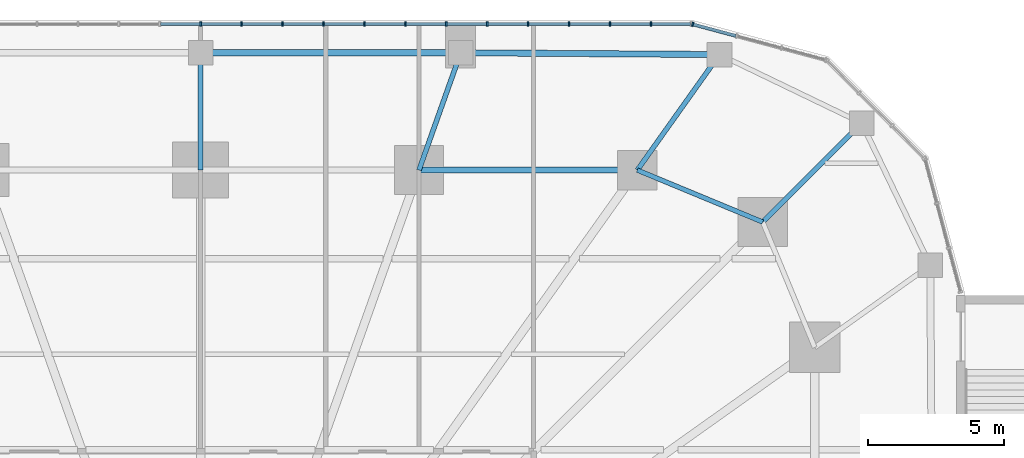
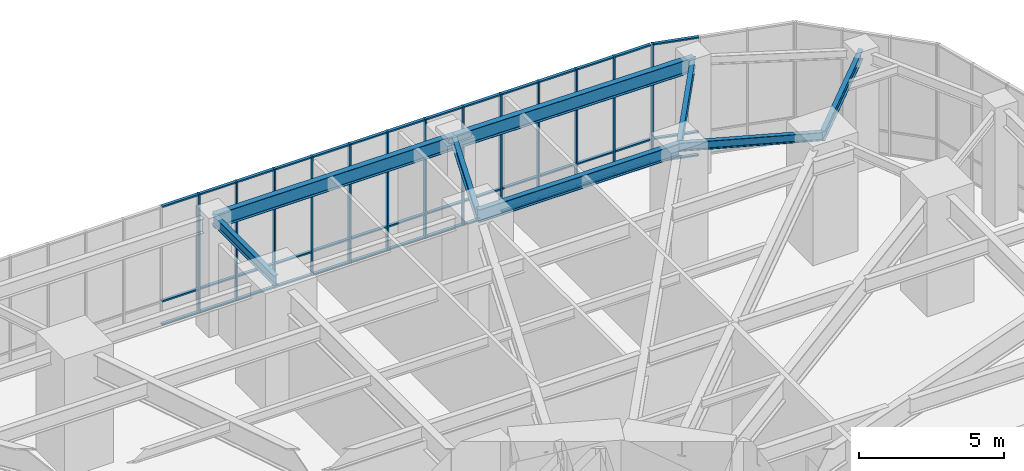
# One storey, part 14 of 24: 55 members, 8 beams, 2 elements without a shape of their own.
"""IFC4 building model written with IfcOpenShell, lengths in metres."""

from ifc_helpers import new_model, si_unit, direction, frame, origin, origin_2d, place, context, subcontext, project, spatial, rectangle, i_section, extrude, material, material_profile, profile_set, type_object, element, aggregate, save


model = new_model("IFC4")

# Units and contexts
model_context = context("Model", 3, precision=1e-05, world=origin(), true_north=direction((0.0, 1.0)))
body_context = subcontext(model_context, "Body", "Model", "MODEL_VIEW")
ifc_project = project(units=[si_unit("LENGTHUNIT", "METRE"), si_unit("AREAUNIT", "SQUARE_METRE"), si_unit("VOLUMEUNIT", "CUBIC_METRE"), si_unit("PLANEANGLEUNIT", "RADIAN"), si_unit("MASSUNIT", "GRAM", prefix="KILO")], contexts=[model_context])

# Site, building, storey
site_placement = place(None, origin())
site = spatial("IfcSite", under=ifc_project, at=site_placement, CompositionType="ELEMENT")
building_placement = place(site_placement, origin())
building = spatial("IfcBuilding", under=site, at=building_placement, Name="Nakasero Lantern House", CompositionType="ELEMENT")
storey_placement = place(building_placement, frame((0.0, 0.0, 6.0)))
storey = spatial("IfcBuildingStorey", under=building, at=storey_placement, Name="L01", CompositionType="ELEMENT", Elevation=6.0)

# Curtain wall, member
ifc_material_1 = material(Name="Aluminium 6063-T6 and glass", Category="aluminium")
curtain_wall_type = type_object("IfcCurtainWallType", Name="Podium curtain wall CW-2", PredefinedType="USERDEFINED", material=ifc_material_1)
curtain_wall_1_placement = place(storey_placement, origin())
curtain_wall_1 = element("IfcCurtainWall", 1, at=curtain_wall_1_placement, inside=storey, type_object=curtain_wall_type, Name="Curtain wall CW-2 L01", ObjectType="STICK CURTAIN WALL", PredefinedType="USERDEFINED")
ifc_material_2 = material(Name="Aluminium 6063-T6", Category="aluminium")
ifc_material_profile_1 = material_profile(ifc_material_2, rectangle(XDim=0.06005859375, YDim=0.159912109375, at=origin_2d()), Name="CW-2 mullion 60x160")
ifc_profile_set_1 = profile_set([ifc_material_profile_1], Name="Aluminium 6063-T6")
member_type_1 = type_object("IfcMemberType", Name="Mullion CW-2", PredefinedType="MULLION", material=ifc_profile_set_1)
member_1_placement = place(storey_placement, frame((18.029052734375, 27.84228515625, 0.0), z_axis=(0.0, 0.0, 1.0), x_axis=(-0.965925826289, 0.258819045103, 0.0)))
member_1 = element("IfcMember", 2, at=member_1_placement, type_object=member_type_1, Name="CW-2 mullion 4", PredefinedType="MULLION", context=body_context, shape_type="SweptSolid", body=[
    extrude(rectangle(XDim=0.06005859375, YDim=0.159912109375, at=origin_2d()), origin(), (0.0, 0.0, 1.0), 5.0),
])

# Curtain wall, members
curtain_wall_2_placement = place(storey_placement, origin())
curtain_wall_2 = element("IfcCurtainWall", 3, at=curtain_wall_2_placement, inside=storey, type_object=curtain_wall_type, Name="Curtain wall CW-2 L01", ObjectType="STICK CURTAIN WALL", PredefinedType="USERDEFINED")
member_2_placement = place(storey_placement, frame((16.5, 27.85009765625, 0.0), z_axis=(0.0, 0.0, 1.0), x_axis=(-1.0, 0.0, 0.0)))
member_2 = element("IfcMember", 4, at=member_2_placement, type_object=member_type_1, Name="CW-2 mullion 2", PredefinedType="MULLION", context=body_context, shape_type="SweptSolid", body=[
    extrude(rectangle(XDim=0.06005859375, YDim=0.159912109375, at=origin_2d()), origin(), (0.0, 0.0, 1.0), 5.0),
])
member_3_placement = place(storey_placement, frame((15.0, 27.85009765625, 0.0), z_axis=(0.0, 0.0, 1.0), x_axis=(-1.0, 0.0, 0.0)))
member_3 = element("IfcMember", 5, at=member_3_placement, type_object=member_type_1, Name="CW-2 mullion 3", PredefinedType="MULLION", context=body_context, shape_type="SweptSolid", body=[
    extrude(rectangle(XDim=0.06005859375, YDim=0.159912109375, at=origin_2d()), origin(), (0.0, 0.0, 1.0), 5.0),
])
member_4_placement = place(storey_placement, frame((13.5, 27.85009765625, 0.0), z_axis=(0.0, 0.0, 1.0), x_axis=(-1.0, 0.0, 0.0)))
member_4 = element("IfcMember", 6, at=member_4_placement, type_object=member_type_1, Name="CW-2 mullion 4", PredefinedType="MULLION", context=body_context, shape_type="SweptSolid", body=[
    extrude(rectangle(XDim=0.06005859375, YDim=0.159912109375, at=origin_2d()), origin(), (0.0, 0.0, 1.0), 5.0),
])
member_5_placement = place(storey_placement, frame((12.0, 27.85009765625, 0.0), z_axis=(0.0, 0.0, 1.0), x_axis=(-1.0, 0.0, 0.0)))
member_5 = element("IfcMember", 7, at=member_5_placement, type_object=member_type_1, Name="CW-2 mullion 5", PredefinedType="MULLION", context=body_context, shape_type="SweptSolid", body=[
    extrude(rectangle(XDim=0.06005859375, YDim=0.159912109375, at=origin_2d()), origin(), (0.0, 0.0, 1.0), 5.0),
])
member_6_placement = place(storey_placement, frame((10.5, 27.85009765625, 0.0), z_axis=(0.0, 0.0, 1.0), x_axis=(-1.0, 0.0, 0.0)))
member_6 = element("IfcMember", 8, at=member_6_placement, type_object=member_type_1, Name="CW-2 mullion 6", PredefinedType="MULLION", context=body_context, shape_type="SweptSolid", body=[
    extrude(rectangle(XDim=0.06005859375, YDim=0.159912109375, at=origin_2d()), origin(), (0.0, 0.0, 1.0), 5.0),
])
member_7_placement = place(storey_placement, frame((9.0, 27.85009765625, 0.0), z_axis=(0.0, 0.0, 1.0), x_axis=(-1.0, 0.0, 0.0)))
member_7 = element("IfcMember", 9, at=member_7_placement, type_object=member_type_1, Name="CW-2 mullion 7", PredefinedType="MULLION", context=body_context, shape_type="SweptSolid", body=[
    extrude(rectangle(XDim=0.06005859375, YDim=0.159912109375, at=origin_2d()), origin(), (0.0, 0.0, 1.0), 5.0),
])
member_8_placement = place(storey_placement, frame((7.5, 27.85009765625, 0.0), z_axis=(0.0, 0.0, 1.0), x_axis=(-1.0, 0.0, 0.0)))
member_8 = element("IfcMember", 10, at=member_8_placement, type_object=member_type_1, Name="CW-2 mullion 8", PredefinedType="MULLION", context=body_context, shape_type="SweptSolid", body=[
    extrude(rectangle(XDim=0.06005859375, YDim=0.159912109375, at=origin_2d()), origin(), (0.0, 0.0, 1.0), 5.0),
])
member_9_placement = place(storey_placement, frame((6.0, 27.85009765625, 0.0), z_axis=(0.0, 0.0, 1.0), x_axis=(-1.0, 0.0, 0.0)))
member_9 = element("IfcMember", 11, at=member_9_placement, type_object=member_type_1, Name="CW-2 mullion 9", PredefinedType="MULLION", context=body_context, shape_type="SweptSolid", body=[
    extrude(rectangle(XDim=0.06005859375, YDim=0.159912109375, at=origin_2d()), origin(), (0.0, 0.0, 1.0), 5.0),
])
member_10_placement = place(storey_placement, frame((4.5, 27.85009765625, 0.0), z_axis=(0.0, 0.0, 1.0), x_axis=(-1.0, 0.0, 0.0)))
member_10 = element("IfcMember", 12, at=member_10_placement, type_object=member_type_1, Name="CW-2 mullion 10", PredefinedType="MULLION", context=body_context, shape_type="SweptSolid", body=[
    extrude(rectangle(XDim=0.06005859375, YDim=0.159912109375, at=origin_2d()), origin(), (0.0, 0.0, 1.0), 5.0),
])
member_11_placement = place(storey_placement, frame((3.0, 27.85009765625, 0.0), z_axis=(0.0, 0.0, 1.0), x_axis=(-1.0, 0.0, 0.0)))
member_11 = element("IfcMember", 13, at=member_11_placement, type_object=member_type_1, Name="CW-2 mullion 11", PredefinedType="MULLION", context=body_context, shape_type="SweptSolid", body=[
    extrude(rectangle(XDim=0.06005859375, YDim=0.159912109375, at=origin_2d()), origin(), (0.0, 0.0, 1.0), 5.0),
])
member_12_placement = place(storey_placement, frame((1.5, 27.85009765625, 0.0), z_axis=(0.0, 0.0, 1.0), x_axis=(-1.0, 0.0, 0.0)))
member_12 = element("IfcMember", 14, at=member_12_placement, type_object=member_type_1, Name="CW-2 mullion 12", PredefinedType="MULLION", context=body_context, shape_type="SweptSolid", body=[
    extrude(rectangle(XDim=0.06005859375, YDim=0.159912109375, at=origin_2d()), origin(), (0.0, 0.0, 1.0), 5.0),
])
member_13_placement = place(storey_placement, frame((0.0, 27.85009765625, 0.0), z_axis=(0.0, 0.0, 1.0), x_axis=(-1.0, 0.0, 0.0)))
member_13 = element("IfcMember", 15, at=member_13_placement, type_object=member_type_1, Name="CW-2 mullion 13", PredefinedType="MULLION", context=body_context, shape_type="SweptSolid", body=[
    extrude(rectangle(XDim=0.06005859375, YDim=0.159912109375, at=origin_2d()), origin(), (0.0, 0.0, 1.0), 5.0),
])

# Beams
ifc_material_3 = material(Name="Steel S355", Category="steel")
ifc_material_profile_2 = material_profile(ifc_material_3, i_section(OverallWidth=0.177978515625, OverallDepth=0.406494140625, WebThickness=0.0078125, FlangeThickness=0.0126953125, FilletRadius=0.01025390625, at=origin_2d()), Name="UB 406x178x60")
ifc_profile_set_2 = profile_set([ifc_material_profile_2], Name="Steel S355")
beam_type_1 = type_object("IfcBeamType", Name="Primary beam UB 406x178x60, span to 6 m", PredefinedType="BEAM", material=ifc_profile_set_2)
beam_1_placement = place(storey_placement, frame((24.22265625, 24.22265625, 4.5966796875), z_axis=(-0.707106781187, -0.707106781187, 0.0), x_axis=(0.707106781187, -0.707106781187, 0.0)))
element("IfcBeam", 16, at=beam_1_placement, inside=storey, type_object=beam_type_1, Name="Primary beam L02 POD-C06", PredefinedType="BEAM", context=body_context, shape_type="SweptSolid", body=[
    extrude(i_section(OverallWidth=0.177978515625, OverallDepth=0.406494140625, WebThickness=0.0078125, FlangeThickness=0.0126953125, FilletRadius=0.01025390625, at=origin_2d()), origin(), (0.0, 0.0, 1.0), 5.128662109375),
])
ifc_material_4 = material(Name="Steel S355", Category="steel")
ifc_material_profile_3 = material_profile(ifc_material_4, i_section(OverallWidth=0.179443359375, OverallDepth=0.412841796875, WebThickness=0.009521484375, FlangeThickness=0.01611328125, FilletRadius=0.01025390625, at=origin_2d()), Name="UB 406x178x74")
ifc_profile_set_3 = profile_set([ifc_material_profile_3], Name="Steel S355")
beam_type_2 = type_object("IfcBeamType", Name="Primary beam UB 406x178x74, span to 6 m", PredefinedType="BEAM", material=ifc_profile_set_3)
beam_2_placement = place(storey_placement, frame((19.0107421875, 26.733642578125, 4.593505859375), z_axis=(-0.57954320692, -0.814941514044, 0.0), x_axis=(0.814941514044, -0.57954320692, 0.0)))
element("IfcBeam", 17, at=beam_2_placement, inside=storey, type_object=beam_type_2, Name="Primary beam L02 POD-C07", PredefinedType="BEAM", context=body_context, shape_type="SweptSolid", body=[
    extrude(i_section(OverallWidth=0.179443359375, OverallDepth=0.412841796875, WebThickness=0.009521484375, FlangeThickness=0.01611328125, FilletRadius=0.01025390625, at=origin_2d()), origin(), (0.0, 0.0, 1.0), 5.195068359375),
])
beam_3_placement = place(storey_placement, frame((9.52880859375, 26.800048828125, 4.593505859375), z_axis=(-0.334990670833, -0.942221444489, 0.0), x_axis=(0.942221444489, -0.334990670833, 0.0)))
element("IfcBeam", 18, at=beam_3_placement, inside=storey, type_object=beam_type_2, Name="Primary beam L02 POD-C08", PredefinedType="BEAM", context=body_context, shape_type="SweptSolid", body=[
    extrude(i_section(OverallWidth=0.179443359375, OverallDepth=0.412841796875, WebThickness=0.009521484375, FlangeThickness=0.01611328125, FilletRadius=0.01025390625, at=origin_2d()), origin(), (0.0, 0.0, 1.0), 4.563720703125),
])
beam_4_placement = place(storey_placement, frame((0.0, 26.800048828125, 4.593505859375), z_axis=(0.0, -1.0, 0.0), x_axis=(1.0, 0.0, 0.0)))
element("IfcBeam", 19, at=beam_4_placement, inside=storey, type_object=beam_type_2, Name="Primary beam L02 POD-C09", PredefinedType="BEAM", context=body_context, shape_type="SweptSolid", body=[
    extrude(i_section(OverallWidth=0.179443359375, OverallDepth=0.412841796875, WebThickness=0.009521484375, FlangeThickness=0.01611328125, FilletRadius=0.01025390625, at=origin_2d()), origin(), (0.0, 0.0, 1.0), 4.300048828125),
])
ifc_material_5 = material(Name="Steel S355", Category="steel")
ifc_material_profile_4 = material_profile(ifc_material_5, i_section(OverallWidth=0.17138671875, OverallDepth=0.35498046875, WebThickness=0.00732421875, FlangeThickness=0.011474609375, FilletRadius=0.01025390625, at=origin_2d()), Name="UB 356x171x51")
ifc_profile_set_4 = profile_set([ifc_material_profile_4], Name="Steel S355")
beam_type_3 = type_object("IfcBeamType", Name="Ring beam UB 356x171x51", PredefinedType="BEAM", material=ifc_profile_set_4)
beam_5_placement = place(storey_placement, frame((20.59619140625, 20.59619140625, 4.62255859375), z_axis=(-0.923879264016, 0.382684080569, 0.0), x_axis=(-0.382684080569, -0.923879264016, 0.0)))
element("IfcBeam", 20, at=beam_5_placement, inside=storey, type_object=beam_type_3, Name="Ring beam L02 B1-C06", PredefinedType="BEAM", context=body_context, shape_type="SweptSolid", body=[
    extrude(i_section(OverallWidth=0.17138671875, OverallDepth=0.35498046875, WebThickness=0.00732421875, FlangeThickness=0.011474609375, FilletRadius=0.01025390625, at=origin_2d()), origin(), (0.0, 0.0, 1.0), 4.974853515625),
])
ifc_material_6 = material(Name="Steel S355", Category="steel")
ifc_material_profile_5 = material_profile(ifc_material_6, i_section(OverallWidth=0.2099609375, OverallDepth=0.53662109375, WebThickness=0.0107421875, FlangeThickness=0.017333984375, FilletRadius=0.0126953125, at=origin_2d()), Name="UB 533x210x101")
ifc_profile_set_5 = profile_set([ifc_material_profile_5], Name="Steel S355")
beam_type_4 = type_object("IfcBeamType", Name="Ring beam UB 533x210x101", PredefinedType="BEAM", material=ifc_profile_set_5)
beam_6_placement = place(storey_placement, frame((16.0, 22.5, 4.53173828125), z_axis=(-1.0, 0.0, 0.0), x_axis=(0.0, -1.0, 0.0)))
element("IfcBeam", 21, at=beam_6_placement, inside=storey, type_object=beam_type_4, Name="Ring beam L02 B1-C07", PredefinedType="BEAM", context=body_context, shape_type="SweptSolid", body=[
    extrude(i_section(OverallWidth=0.2099609375, OverallDepth=0.53662109375, WebThickness=0.0107421875, FlangeThickness=0.017333984375, FilletRadius=0.0126953125, at=origin_2d()), origin(), (0.0, 0.0, 1.0), 8.0),
])
ifc_material_7 = material(Name="Steel S355", Category="steel")
ifc_material_profile_6 = material_profile(ifc_material_7, i_section(OverallWidth=0.2275390625, OverallDepth=0.6025390625, WebThickness=0.010498046875, FlangeThickness=0.014892578125, FilletRadius=0.0126953125, at=origin_2d()), Name="UB 610x229x101")
ifc_profile_set_6 = profile_set([ifc_material_profile_6], Name="Steel S355")
beam_type_5 = type_object("IfcBeamType", Name="Ring beam UB 610x229x101", PredefinedType="BEAM", material=ifc_profile_set_6)
beam_7_placement = place(storey_placement, frame((19.0107421875, 26.733642578125, 4.498779296875), z_axis=(-0.999975476745, 0.007003278482, 0.0), x_axis=(-0.007003278482, -0.999975476745, 0.0)))
element("IfcBeam", 22, at=beam_7_placement, inside=storey, type_object=beam_type_5, Name="Ring beam L02 POD-C07", PredefinedType="BEAM", context=body_context, shape_type="SweptSolid", body=[
    extrude(i_section(OverallWidth=0.2275390625, OverallDepth=0.6025390625, WebThickness=0.010498046875, FlangeThickness=0.014892578125, FilletRadius=0.0126953125, at=origin_2d()), origin(), (0.0, 0.0, 1.0), 9.482177734375),
])
beam_8_placement = place(storey_placement, frame((9.52880859375, 26.800048828125, 4.498779296875), z_axis=(-1.0, 0.0, 0.0), x_axis=(0.0, -1.0, 0.0)))
element("IfcBeam", 23, at=beam_8_placement, inside=storey, type_object=beam_type_5, Name="Ring beam L02 POD-C08", PredefinedType="BEAM", context=body_context, shape_type="SweptSolid", body=[
    extrude(i_section(OverallWidth=0.2275390625, OverallDepth=0.6025390625, WebThickness=0.010498046875, FlangeThickness=0.014892578125, FilletRadius=0.0126953125, at=origin_2d()), origin(), (0.0, 0.0, 1.0), 9.52880859375),
])

# Member
ifc_material_8 = material(Name="Aluminium 6063-T6", Category="aluminium")
ifc_material_profile_7 = material_profile(ifc_material_8, rectangle(XDim=0.06005859375, YDim=0.1201171875, at=origin_2d()), Name="CW-2 transom 60x120")
ifc_profile_set_7 = profile_set([ifc_material_profile_7], Name="Aluminium 6063-T6")
member_type_2 = type_object("IfcMemberType", Name="Transom CW-2", PredefinedType="USERDEFINED", material=ifc_profile_set_7)
member_14_placement = place(storey_placement, frame((19.61279296875, 27.41796875, 0.030029296875), z_axis=(-0.96594737463, 0.258738612203, 0.0), x_axis=(0.0, 0.0, 1.0)))
member_14 = element("IfcMember", 24, at=member_14_placement, type_object=member_type_2, Name="CW-2 transom 3.1", ObjectType="TRANSOM", PredefinedType="USERDEFINED", context=body_context, shape_type="SweptSolid", body=[
    extrude(rectangle(XDim=0.06005859375, YDim=0.1201171875, at=origin_2d()), origin(), (0.0, 0.0, 1.0), 1.60986328125),
])

member_15_placement = place(storey_placement, frame((19.61279296875, 27.41796875, 1.0), z_axis=(-0.96594737463, 0.258738612203, 0.0), x_axis=(0.0, 0.0, 1.0)))
member_15 = element("IfcMember", 25, at=member_15_placement, type_object=member_type_2, Name="CW-2 transom 3.2", ObjectType="TRANSOM", PredefinedType="USERDEFINED", context=body_context, shape_type="SweptSolid", body=[
    extrude(rectangle(XDim=0.06005859375, YDim=0.1201171875, at=origin_2d()), origin(), (0.0, 0.0, 1.0), 1.60986328125),
])

member_16_placement = place(storey_placement, frame((19.61279296875, 27.41796875, 4.969970703125), z_axis=(-0.96594737463, 0.258738612203, 0.0), x_axis=(0.0, 0.0, 1.0)))
member_16 = element("IfcMember", 26, at=member_16_placement, type_object=member_type_2, Name="CW-2 transom 3.3", ObjectType="TRANSOM", PredefinedType="USERDEFINED", context=body_context, shape_type="SweptSolid", body=[
    extrude(rectangle(XDim=0.06005859375, YDim=0.1201171875, at=origin_2d()), origin(), (0.0, 0.0, 1.0), 1.60986328125),
])

aggregate(curtain_wall_1, [member_1, member_14, member_15, member_16])

member_17_placement = place(storey_placement, frame((17.93994140625, 27.85009765625, 0.030029296875), z_axis=(-1.0, 0.0, 0.0), x_axis=(0.0, 0.0, 1.0)))
member_17 = element("IfcMember", 27, at=member_17_placement, type_object=member_type_2, Name="CW-2 transom 1.1", ObjectType="TRANSOM", PredefinedType="USERDEFINED", context=body_context, shape_type="SweptSolid", body=[
    extrude(rectangle(XDim=0.06005859375, YDim=0.1201171875, at=origin_2d()), origin(), (0.0, 0.0, 1.0), 1.409912109375),
])

member_18_placement = place(storey_placement, frame((17.93994140625, 27.85009765625, 1.0), z_axis=(-1.0, 0.0, 0.0), x_axis=(0.0, 0.0, 1.0)))
member_18 = element("IfcMember", 28, at=member_18_placement, type_object=member_type_2, Name="CW-2 transom 1.2", ObjectType="TRANSOM", PredefinedType="USERDEFINED", context=body_context, shape_type="SweptSolid", body=[
    extrude(rectangle(XDim=0.06005859375, YDim=0.1201171875, at=origin_2d()), origin(), (0.0, 0.0, 1.0), 1.409912109375),
])

member_19_placement = place(storey_placement, frame((17.93994140625, 27.85009765625, 4.969970703125), z_axis=(-1.0, 0.0, 0.0), x_axis=(0.0, 0.0, 1.0)))
member_19 = element("IfcMember", 29, at=member_19_placement, type_object=member_type_2, Name="CW-2 transom 1.3", ObjectType="TRANSOM", PredefinedType="USERDEFINED", context=body_context, shape_type="SweptSolid", body=[
    extrude(rectangle(XDim=0.06005859375, YDim=0.1201171875, at=origin_2d()), origin(), (0.0, 0.0, 1.0), 1.409912109375),
])

member_20_placement = place(storey_placement, frame((16.469970703125, 27.85009765625, 0.030029296875), z_axis=(-1.0, 0.0, 0.0), x_axis=(0.0, 0.0, 1.0)))
member_20 = element("IfcMember", 30, at=member_20_placement, type_object=member_type_2, Name="CW-2 transom 2.1", ObjectType="TRANSOM", PredefinedType="USERDEFINED", context=body_context, shape_type="SweptSolid", body=[
    extrude(rectangle(XDim=0.06005859375, YDim=0.1201171875, at=origin_2d()), origin(), (0.0, 0.0, 1.0), 1.43994140625),
])

member_21_placement = place(storey_placement, frame((16.469970703125, 27.85009765625, 1.0), z_axis=(-1.0, 0.0, 0.0), x_axis=(0.0, 0.0, 1.0)))
member_21 = element("IfcMember", 31, at=member_21_placement, type_object=member_type_2, Name="CW-2 transom 2.2", ObjectType="TRANSOM", PredefinedType="USERDEFINED", context=body_context, shape_type="SweptSolid", body=[
    extrude(rectangle(XDim=0.06005859375, YDim=0.1201171875, at=origin_2d()), origin(), (0.0, 0.0, 1.0), 1.43994140625),
])

member_22_placement = place(storey_placement, frame((16.469970703125, 27.85009765625, 4.969970703125), z_axis=(-1.0, 0.0, 0.0), x_axis=(0.0, 0.0, 1.0)))
member_22 = element("IfcMember", 32, at=member_22_placement, type_object=member_type_2, Name="CW-2 transom 2.3", ObjectType="TRANSOM", PredefinedType="USERDEFINED", context=body_context, shape_type="SweptSolid", body=[
    extrude(rectangle(XDim=0.06005859375, YDim=0.1201171875, at=origin_2d()), origin(), (0.0, 0.0, 1.0), 1.43994140625),
])

member_23_placement = place(storey_placement, frame((14.969970703125, 27.85009765625, 0.030029296875), z_axis=(-1.0, 0.0, 0.0), x_axis=(0.0, 0.0, 1.0)))
member_23 = element("IfcMember", 33, at=member_23_placement, type_object=member_type_2, Name="CW-2 transom 3.1", ObjectType="TRANSOM", PredefinedType="USERDEFINED", context=body_context, shape_type="SweptSolid", body=[
    extrude(rectangle(XDim=0.06005859375, YDim=0.1201171875, at=origin_2d()), origin(), (0.0, 0.0, 1.0), 1.43994140625),
])

member_24_placement = place(storey_placement, frame((14.969970703125, 27.85009765625, 1.0), z_axis=(-1.0, 0.0, 0.0), x_axis=(0.0, 0.0, 1.0)))
member_24 = element("IfcMember", 34, at=member_24_placement, type_object=member_type_2, Name="CW-2 transom 3.2", ObjectType="TRANSOM", PredefinedType="USERDEFINED", context=body_context, shape_type="SweptSolid", body=[
    extrude(rectangle(XDim=0.06005859375, YDim=0.1201171875, at=origin_2d()), origin(), (0.0, 0.0, 1.0), 1.43994140625),
])

member_25_placement = place(storey_placement, frame((14.969970703125, 27.85009765625, 4.969970703125), z_axis=(-1.0, 0.0, 0.0), x_axis=(0.0, 0.0, 1.0)))
member_25 = element("IfcMember", 35, at=member_25_placement, type_object=member_type_2, Name="CW-2 transom 3.3", ObjectType="TRANSOM", PredefinedType="USERDEFINED", context=body_context, shape_type="SweptSolid", body=[
    extrude(rectangle(XDim=0.06005859375, YDim=0.1201171875, at=origin_2d()), origin(), (0.0, 0.0, 1.0), 1.43994140625),
])

member_26_placement = place(storey_placement, frame((13.469970703125, 27.85009765625, 0.030029296875), z_axis=(-1.0, 0.0, 0.0), x_axis=(0.0, 0.0, 1.0)))
member_26 = element("IfcMember", 36, at=member_26_placement, type_object=member_type_2, Name="CW-2 transom 4.1", ObjectType="TRANSOM", PredefinedType="USERDEFINED", context=body_context, shape_type="SweptSolid", body=[
    extrude(rectangle(XDim=0.06005859375, YDim=0.1201171875, at=origin_2d()), origin(), (0.0, 0.0, 1.0), 1.43994140625),
])

member_27_placement = place(storey_placement, frame((13.469970703125, 27.85009765625, 1.0), z_axis=(-1.0, 0.0, 0.0), x_axis=(0.0, 0.0, 1.0)))
member_27 = element("IfcMember", 37, at=member_27_placement, type_object=member_type_2, Name="CW-2 transom 4.2", ObjectType="TRANSOM", PredefinedType="USERDEFINED", context=body_context, shape_type="SweptSolid", body=[
    extrude(rectangle(XDim=0.06005859375, YDim=0.1201171875, at=origin_2d()), origin(), (0.0, 0.0, 1.0), 1.43994140625),
])

member_28_placement = place(storey_placement, frame((13.469970703125, 27.85009765625, 4.969970703125), z_axis=(-1.0, 0.0, 0.0), x_axis=(0.0, 0.0, 1.0)))
member_28 = element("IfcMember", 38, at=member_28_placement, type_object=member_type_2, Name="CW-2 transom 4.3", ObjectType="TRANSOM", PredefinedType="USERDEFINED", context=body_context, shape_type="SweptSolid", body=[
    extrude(rectangle(XDim=0.06005859375, YDim=0.1201171875, at=origin_2d()), origin(), (0.0, 0.0, 1.0), 1.43994140625),
])

member_29_placement = place(storey_placement, frame((11.969970703125, 27.85009765625, 0.030029296875), z_axis=(-1.0, 0.0, 0.0), x_axis=(0.0, 0.0, 1.0)))
member_29 = element("IfcMember", 39, at=member_29_placement, type_object=member_type_2, Name="CW-2 transom 5.1", ObjectType="TRANSOM", PredefinedType="USERDEFINED", context=body_context, shape_type="SweptSolid", body=[
    extrude(rectangle(XDim=0.06005859375, YDim=0.1201171875, at=origin_2d()), origin(), (0.0, 0.0, 1.0), 1.43994140625),
])

member_30_placement = place(storey_placement, frame((11.969970703125, 27.85009765625, 1.0), z_axis=(-1.0, 0.0, 0.0), x_axis=(0.0, 0.0, 1.0)))
member_30 = element("IfcMember", 40, at=member_30_placement, type_object=member_type_2, Name="CW-2 transom 5.2", ObjectType="TRANSOM", PredefinedType="USERDEFINED", context=body_context, shape_type="SweptSolid", body=[
    extrude(rectangle(XDim=0.06005859375, YDim=0.1201171875, at=origin_2d()), origin(), (0.0, 0.0, 1.0), 1.43994140625),
])

member_31_placement = place(storey_placement, frame((11.969970703125, 27.85009765625, 4.969970703125), z_axis=(-1.0, 0.0, 0.0), x_axis=(0.0, 0.0, 1.0)))
member_31 = element("IfcMember", 41, at=member_31_placement, type_object=member_type_2, Name="CW-2 transom 5.3", ObjectType="TRANSOM", PredefinedType="USERDEFINED", context=body_context, shape_type="SweptSolid", body=[
    extrude(rectangle(XDim=0.06005859375, YDim=0.1201171875, at=origin_2d()), origin(), (0.0, 0.0, 1.0), 1.43994140625),
])

member_32_placement = place(storey_placement, frame((10.469970703125, 27.85009765625, 0.030029296875), z_axis=(-1.0, 0.0, 0.0), x_axis=(0.0, 0.0, 1.0)))
member_32 = element("IfcMember", 42, at=member_32_placement, type_object=member_type_2, Name="CW-2 transom 6.1", ObjectType="TRANSOM", PredefinedType="USERDEFINED", context=body_context, shape_type="SweptSolid", body=[
    extrude(rectangle(XDim=0.06005859375, YDim=0.1201171875, at=origin_2d()), origin(), (0.0, 0.0, 1.0), 1.43994140625),
])

member_33_placement = place(storey_placement, frame((10.469970703125, 27.85009765625, 1.0), z_axis=(-1.0, 0.0, 0.0), x_axis=(0.0, 0.0, 1.0)))
member_33 = element("IfcMember", 43, at=member_33_placement, type_object=member_type_2, Name="CW-2 transom 6.2", ObjectType="TRANSOM", PredefinedType="USERDEFINED", context=body_context, shape_type="SweptSolid", body=[
    extrude(rectangle(XDim=0.06005859375, YDim=0.1201171875, at=origin_2d()), origin(), (0.0, 0.0, 1.0), 1.43994140625),
])

member_34_placement = place(storey_placement, frame((10.469970703125, 27.85009765625, 4.969970703125), z_axis=(-1.0, 0.0, 0.0), x_axis=(0.0, 0.0, 1.0)))
member_34 = element("IfcMember", 44, at=member_34_placement, type_object=member_type_2, Name="CW-2 transom 6.3", ObjectType="TRANSOM", PredefinedType="USERDEFINED", context=body_context, shape_type="SweptSolid", body=[
    extrude(rectangle(XDim=0.06005859375, YDim=0.1201171875, at=origin_2d()), origin(), (0.0, 0.0, 1.0), 1.43994140625),
])

member_35_placement = place(storey_placement, frame((8.969970703125, 27.85009765625, 0.030029296875), z_axis=(-1.0, 0.0, 0.0), x_axis=(0.0, 0.0, 1.0)))
member_35 = element("IfcMember", 45, at=member_35_placement, type_object=member_type_2, Name="CW-2 transom 7.1", ObjectType="TRANSOM", PredefinedType="USERDEFINED", context=body_context, shape_type="SweptSolid", body=[
    extrude(rectangle(XDim=0.06005859375, YDim=0.1201171875, at=origin_2d()), origin(), (0.0, 0.0, 1.0), 1.43994140625),
])

member_36_placement = place(storey_placement, frame((8.969970703125, 27.85009765625, 1.0), z_axis=(-1.0, 0.0, 0.0), x_axis=(0.0, 0.0, 1.0)))
member_36 = element("IfcMember", 46, at=member_36_placement, type_object=member_type_2, Name="CW-2 transom 7.2", ObjectType="TRANSOM", PredefinedType="USERDEFINED", context=body_context, shape_type="SweptSolid", body=[
    extrude(rectangle(XDim=0.06005859375, YDim=0.1201171875, at=origin_2d()), origin(), (0.0, 0.0, 1.0), 1.43994140625),
])

member_37_placement = place(storey_placement, frame((8.969970703125, 27.85009765625, 4.969970703125), z_axis=(-1.0, 0.0, 0.0), x_axis=(0.0, 0.0, 1.0)))
member_37 = element("IfcMember", 47, at=member_37_placement, type_object=member_type_2, Name="CW-2 transom 7.3", ObjectType="TRANSOM", PredefinedType="USERDEFINED", context=body_context, shape_type="SweptSolid", body=[
    extrude(rectangle(XDim=0.06005859375, YDim=0.1201171875, at=origin_2d()), origin(), (0.0, 0.0, 1.0), 1.43994140625),
])

member_38_placement = place(storey_placement, frame((7.469970703125, 27.85009765625, 0.030029296875), z_axis=(-1.0, 0.0, 0.0), x_axis=(0.0, 0.0, 1.0)))
member_38 = element("IfcMember", 48, at=member_38_placement, type_object=member_type_2, Name="CW-2 transom 8.1", ObjectType="TRANSOM", PredefinedType="USERDEFINED", context=body_context, shape_type="SweptSolid", body=[
    extrude(rectangle(XDim=0.06005859375, YDim=0.1201171875, at=origin_2d()), origin(), (0.0, 0.0, 1.0), 1.43994140625),
])

member_39_placement = place(storey_placement, frame((7.469970703125, 27.85009765625, 1.0), z_axis=(-1.0, 0.0, 0.0), x_axis=(0.0, 0.0, 1.0)))
member_39 = element("IfcMember", 49, at=member_39_placement, type_object=member_type_2, Name="CW-2 transom 8.2", ObjectType="TRANSOM", PredefinedType="USERDEFINED", context=body_context, shape_type="SweptSolid", body=[
    extrude(rectangle(XDim=0.06005859375, YDim=0.1201171875, at=origin_2d()), origin(), (0.0, 0.0, 1.0), 1.43994140625),
])

member_40_placement = place(storey_placement, frame((7.469970703125, 27.85009765625, 4.969970703125), z_axis=(-1.0, 0.0, 0.0), x_axis=(0.0, 0.0, 1.0)))
member_40 = element("IfcMember", 50, at=member_40_placement, type_object=member_type_2, Name="CW-2 transom 8.3", ObjectType="TRANSOM", PredefinedType="USERDEFINED", context=body_context, shape_type="SweptSolid", body=[
    extrude(rectangle(XDim=0.06005859375, YDim=0.1201171875, at=origin_2d()), origin(), (0.0, 0.0, 1.0), 1.43994140625),
])

member_41_placement = place(storey_placement, frame((5.969970703125, 27.85009765625, 0.030029296875), z_axis=(-1.0, 0.0, 0.0), x_axis=(0.0, 0.0, 1.0)))
member_41 = element("IfcMember", 51, at=member_41_placement, type_object=member_type_2, Name="CW-2 transom 9.1", ObjectType="TRANSOM", PredefinedType="USERDEFINED", context=body_context, shape_type="SweptSolid", body=[
    extrude(rectangle(XDim=0.06005859375, YDim=0.1201171875, at=origin_2d()), origin(), (0.0, 0.0, 1.0), 1.43994140625),
])

member_42_placement = place(storey_placement, frame((5.969970703125, 27.85009765625, 1.0), z_axis=(-1.0, 0.0, 0.0), x_axis=(0.0, 0.0, 1.0)))
member_42 = element("IfcMember", 52, at=member_42_placement, type_object=member_type_2, Name="CW-2 transom 9.2", ObjectType="TRANSOM", PredefinedType="USERDEFINED", context=body_context, shape_type="SweptSolid", body=[
    extrude(rectangle(XDim=0.06005859375, YDim=0.1201171875, at=origin_2d()), origin(), (0.0, 0.0, 1.0), 1.43994140625),
])

member_43_placement = place(storey_placement, frame((5.969970703125, 27.85009765625, 4.969970703125), z_axis=(-1.0, 0.0, 0.0), x_axis=(0.0, 0.0, 1.0)))
member_43 = element("IfcMember", 53, at=member_43_placement, type_object=member_type_2, Name="CW-2 transom 9.3", ObjectType="TRANSOM", PredefinedType="USERDEFINED", context=body_context, shape_type="SweptSolid", body=[
    extrude(rectangle(XDim=0.06005859375, YDim=0.1201171875, at=origin_2d()), origin(), (0.0, 0.0, 1.0), 1.43994140625),
])

member_44_placement = place(storey_placement, frame((4.469970703125, 27.85009765625, 0.030029296875), z_axis=(-1.0, 0.0, 0.0), x_axis=(0.0, 0.0, 1.0)))
member_44 = element("IfcMember", 54, at=member_44_placement, type_object=member_type_2, Name="CW-2 transom 10.1", ObjectType="TRANSOM", PredefinedType="USERDEFINED", context=body_context, shape_type="SweptSolid", body=[
    extrude(rectangle(XDim=0.06005859375, YDim=0.1201171875, at=origin_2d()), origin(), (0.0, 0.0, 1.0), 1.43994140625),
])

member_45_placement = place(storey_placement, frame((4.469970703125, 27.85009765625, 1.0), z_axis=(-1.0, 0.0, 0.0), x_axis=(0.0, 0.0, 1.0)))
member_45 = element("IfcMember", 55, at=member_45_placement, type_object=member_type_2, Name="CW-2 transom 10.2", ObjectType="TRANSOM", PredefinedType="USERDEFINED", context=body_context, shape_type="SweptSolid", body=[
    extrude(rectangle(XDim=0.06005859375, YDim=0.1201171875, at=origin_2d()), origin(), (0.0, 0.0, 1.0), 1.43994140625),
])

member_46_placement = place(storey_placement, frame((4.469970703125, 27.85009765625, 4.969970703125), z_axis=(-1.0, 0.0, 0.0), x_axis=(0.0, 0.0, 1.0)))
member_46 = element("IfcMember", 56, at=member_46_placement, type_object=member_type_2, Name="CW-2 transom 10.3", ObjectType="TRANSOM", PredefinedType="USERDEFINED", context=body_context, shape_type="SweptSolid", body=[
    extrude(rectangle(XDim=0.06005859375, YDim=0.1201171875, at=origin_2d()), origin(), (0.0, 0.0, 1.0), 1.43994140625),
])

member_47_placement = place(storey_placement, frame((2.969970703125, 27.85009765625, 0.030029296875), z_axis=(-1.0, 0.0, 0.0), x_axis=(0.0, 0.0, 1.0)))
member_47 = element("IfcMember", 57, at=member_47_placement, type_object=member_type_2, Name="CW-2 transom 11.1", ObjectType="TRANSOM", PredefinedType="USERDEFINED", context=body_context, shape_type="SweptSolid", body=[
    extrude(rectangle(XDim=0.06005859375, YDim=0.1201171875, at=origin_2d()), origin(), (0.0, 0.0, 1.0), 1.43994140625),
])

member_48_placement = place(storey_placement, frame((2.969970703125, 27.85009765625, 1.0), z_axis=(-1.0, 0.0, 0.0), x_axis=(0.0, 0.0, 1.0)))
member_48 = element("IfcMember", 58, at=member_48_placement, type_object=member_type_2, Name="CW-2 transom 11.2", ObjectType="TRANSOM", PredefinedType="USERDEFINED", context=body_context, shape_type="SweptSolid", body=[
    extrude(rectangle(XDim=0.06005859375, YDim=0.1201171875, at=origin_2d()), origin(), (0.0, 0.0, 1.0), 1.43994140625),
])

member_49_placement = place(storey_placement, frame((2.969970703125, 27.85009765625, 4.969970703125), z_axis=(-1.0, 0.0, 0.0), x_axis=(0.0, 0.0, 1.0)))
member_49 = element("IfcMember", 59, at=member_49_placement, type_object=member_type_2, Name="CW-2 transom 11.3", ObjectType="TRANSOM", PredefinedType="USERDEFINED", context=body_context, shape_type="SweptSolid", body=[
    extrude(rectangle(XDim=0.06005859375, YDim=0.1201171875, at=origin_2d()), origin(), (0.0, 0.0, 1.0), 1.43994140625),
])

member_50_placement = place(storey_placement, frame((1.469970703125, 27.85009765625, 0.030029296875), z_axis=(-1.0, 0.0, 0.0), x_axis=(0.0, 0.0, 1.0)))
member_50 = element("IfcMember", 60, at=member_50_placement, type_object=member_type_2, Name="CW-2 transom 12.1", ObjectType="TRANSOM", PredefinedType="USERDEFINED", context=body_context, shape_type="SweptSolid", body=[
    extrude(rectangle(XDim=0.06005859375, YDim=0.1201171875, at=origin_2d()), origin(), (0.0, 0.0, 1.0), 1.43994140625),
])

member_51_placement = place(storey_placement, frame((1.469970703125, 27.85009765625, 1.0), z_axis=(-1.0, 0.0, 0.0), x_axis=(0.0, 0.0, 1.0)))
member_51 = element("IfcMember", 61, at=member_51_placement, type_object=member_type_2, Name="CW-2 transom 12.2", ObjectType="TRANSOM", PredefinedType="USERDEFINED", context=body_context, shape_type="SweptSolid", body=[
    extrude(rectangle(XDim=0.06005859375, YDim=0.1201171875, at=origin_2d()), origin(), (0.0, 0.0, 1.0), 1.43994140625),
])

member_52_placement = place(storey_placement, frame((1.469970703125, 27.85009765625, 4.969970703125), z_axis=(-1.0, 0.0, 0.0), x_axis=(0.0, 0.0, 1.0)))
member_52 = element("IfcMember", 62, at=member_52_placement, type_object=member_type_2, Name="CW-2 transom 12.3", ObjectType="TRANSOM", PredefinedType="USERDEFINED", context=body_context, shape_type="SweptSolid", body=[
    extrude(rectangle(XDim=0.06005859375, YDim=0.1201171875, at=origin_2d()), origin(), (0.0, 0.0, 1.0), 1.43994140625),
])

member_53_placement = place(storey_placement, frame((-0.030029296875, 27.85009765625, 0.030029296875), z_axis=(-1.0, 0.0, 0.0), x_axis=(0.0, 0.0, 1.0)))
member_53 = element("IfcMember", 63, at=member_53_placement, type_object=member_type_2, Name="CW-2 transom 13.1", ObjectType="TRANSOM", PredefinedType="USERDEFINED", context=body_context, shape_type="SweptSolid", body=[
    extrude(rectangle(XDim=0.06005859375, YDim=0.1201171875, at=origin_2d()), origin(), (0.0, 0.0, 1.0), 1.43994140625),
])

member_54_placement = place(storey_placement, frame((-0.030029296875, 27.85009765625, 1.0), z_axis=(-1.0, 0.0, 0.0), x_axis=(0.0, 0.0, 1.0)))
member_54 = element("IfcMember", 64, at=member_54_placement, type_object=member_type_2, Name="CW-2 transom 13.2", ObjectType="TRANSOM", PredefinedType="USERDEFINED", context=body_context, shape_type="SweptSolid", body=[
    extrude(rectangle(XDim=0.06005859375, YDim=0.1201171875, at=origin_2d()), origin(), (0.0, 0.0, 1.0), 1.43994140625),
])

member_55_placement = place(storey_placement, frame((-0.030029296875, 27.85009765625, 4.969970703125), z_axis=(-1.0, 0.0, 0.0), x_axis=(0.0, 0.0, 1.0)))
member_55 = element("IfcMember", 65, at=member_55_placement, type_object=member_type_2, Name="CW-2 transom 13.3", ObjectType="TRANSOM", PredefinedType="USERDEFINED", context=body_context, shape_type="SweptSolid", body=[
    extrude(rectangle(XDim=0.06005859375, YDim=0.1201171875, at=origin_2d()), origin(), (0.0, 0.0, 1.0), 1.43994140625),
])

aggregate(curtain_wall_2, [member_2, member_3, member_4, member_5, member_6, member_7, member_8, member_9, member_10, member_11, member_12, member_13, member_17, member_18, member_19, member_20, member_21, member_22, member_23, member_24, member_25, member_26, member_27, member_28, member_29, member_30, member_31, member_32, member_33, member_34, member_35, member_36, member_37, member_38, member_39, member_40, member_41, member_42, member_43, member_44, member_45, member_46, member_47, member_48, member_49, member_50, member_51, member_52, member_53, member_54, member_55])

save(model, "model.ifc")
